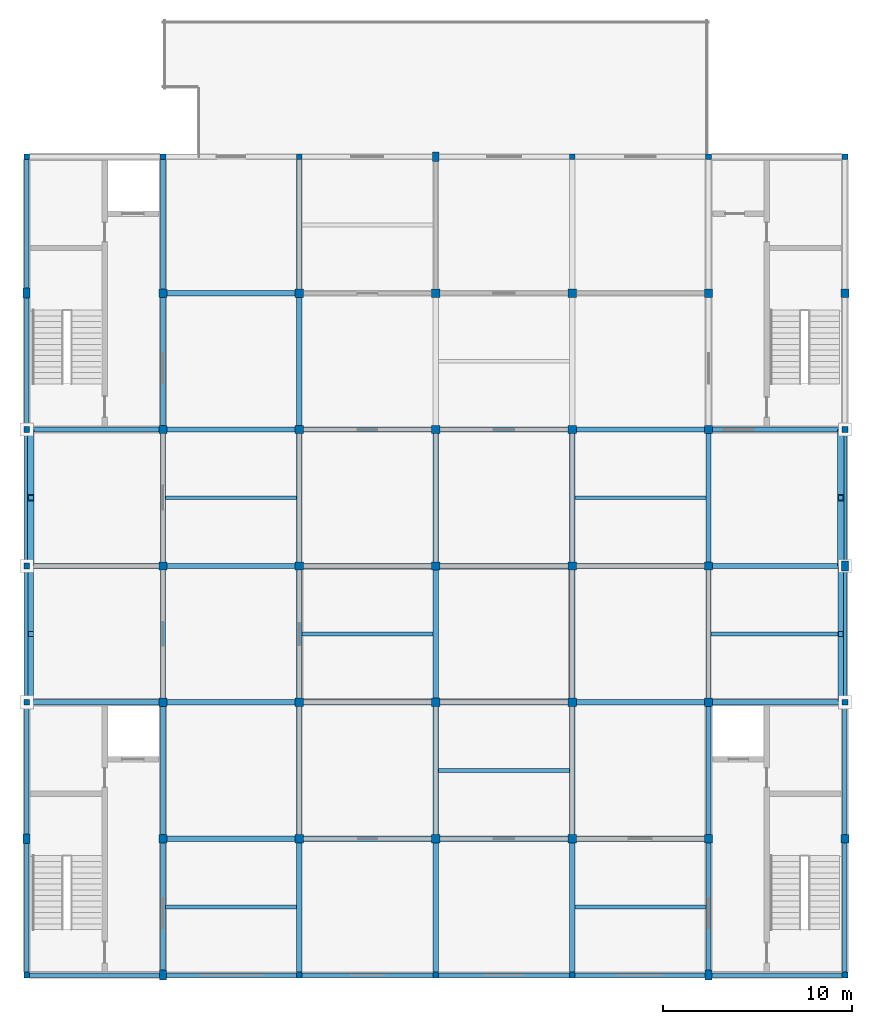
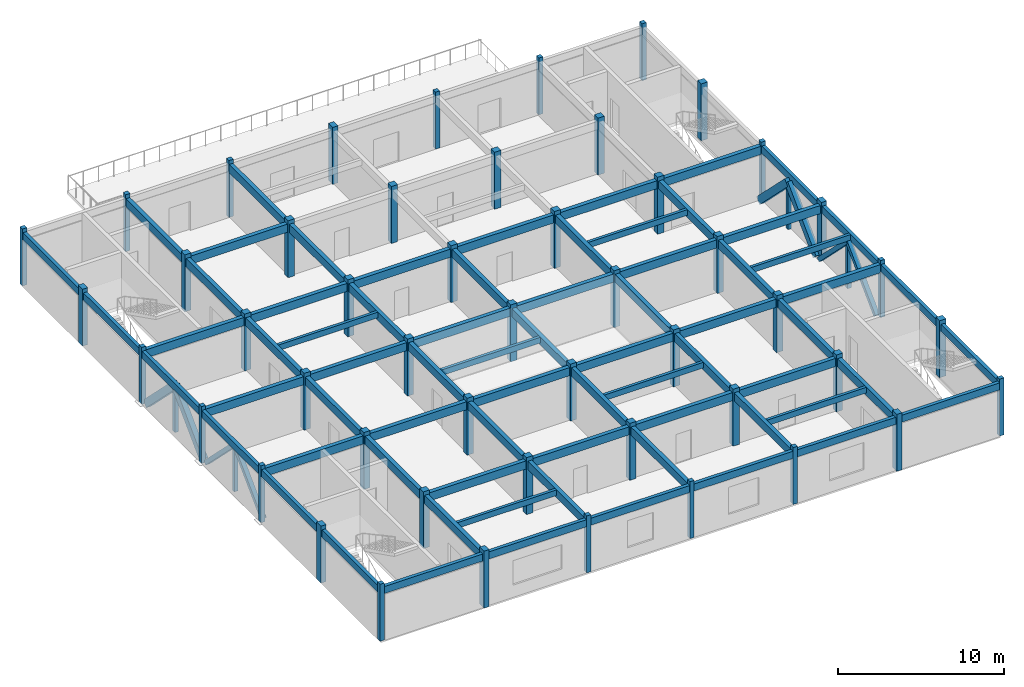
# One storey, part 1 of 6: 70 beams, 49 columns, 12 members.
"""IFC4 building model written with IfcOpenShell, lengths in metres."""

from ifc_helpers import new_model, si_unit, direction, frame, origin, origin_2d, place, context, subcontext, project, spatial, rectangle, extrude, material, material_profile, profile_set, type_object, element, save


model = new_model("IFC4")

# Units and contexts
model_context = context("Model", 3, precision=1e-05, world=origin(), true_north=direction((0.0, 1.0)))
body_context = subcontext(model_context, "Body", "Model", "MODEL_VIEW")
ifc_project = project(units=[si_unit("LENGTHUNIT", "METRE"), si_unit("AREAUNIT", "SQUARE_METRE"), si_unit("VOLUMEUNIT", "CUBIC_METRE"), si_unit("PLANEANGLEUNIT", "RADIAN"), si_unit("MASSUNIT", "GRAM", prefix="KILO")], contexts=[model_context])

# Site, building, storey
site_placement = place(None, origin())
site = spatial("IfcSite", under=ifc_project, at=site_placement, CompositionType="ELEMENT")
building_placement = place(site_placement, origin())
building = spatial("IfcBuilding", under=site, at=building_placement, Name="Cendaluz Park School", CompositionType="ELEMENT")
storey_placement = place(building_placement, frame((0.0, 0.0, 63.0)))
storey = spatial("IfcBuildingStorey", under=building, at=storey_placement, Name="L15", CompositionType="ELEMENT", Elevation=63.0)

# Columns
ifc_material_1 = material(Name="Glulam GL32h", Category="wood")
ifc_material_profile_1 = material_profile(ifc_material_1, rectangle(XDim=0.43994140625, YDim=0.43994140625, at=origin_2d()), Name="GL32h 440x440", Category="wood")
ifc_profile_set_1 = profile_set([ifc_material_profile_1], Name="Glulam GL32h")
column_type_1 = type_object("IfcColumnType", Name="C-GL03", PredefinedType="COLUMN", material=ifc_profile_set_1)
for number, where, z_axis, x_axis, name in (
    (1, (72.0, 21.60009765625, 0.0), (0.0, 0.0, 1.0), (1.0, 0.0, 0.0), "C-L15-CGL03-009"),
    (2, (72.0, 28.800048828125, 0.0), (0.0, 0.0, 1.0), (1.0, 0.0, 0.0), "C-L15-CGL03-010"),
    (3, (72.0, 36.0, 0.0), (0.0, 0.0, 1.0), (1.0, 0.0, 0.0), "C-L15-CGL03-011"),
    (4, (72.0, 43.199951171875, 0.0), (0.0, 0.0, 1.0), (1.0, 0.0, 0.0), "C-L15-CGL03-012"),
    (5, (72.0, 50.39990234375, 0.0), (0.0, 0.0, 1.0), (1.0, 0.0, 0.0), "C-L15-CGL03-013"),
    (6, (79.199951171875, 21.60009765625, 0.0), (0.0, 0.0, 1.0), (1.0, 0.0, 0.0), "C-L15-CGL03-016"),
    (7, (79.199951171875, 28.800048828125, 0.0), (0.0, 0.0, 1.0), (1.0, 0.0, 0.0), "C-L15-CGL03-017"),
    (8, (79.199951171875, 36.0, 0.0), (0.0, 0.0, 1.0), (1.0, 0.0, 0.0), "C-L15-CGL03-018"),
    (9, (79.199951171875, 43.199951171875, 0.0), (0.0, 0.0, 1.0), (1.0, 0.0, 0.0), "C-L15-CGL03-019"),
    (10, (79.199951171875, 50.39990234375, 0.0), (0.0, 0.0, 1.0), (1.0, 0.0, 0.0), "C-L15-CGL03-020"),
    (11, (86.39990234375, 21.60009765625, 0.0), (0.0, 0.0, 1.0), (1.0, 0.0, 0.0), "C-L15-CGL03-023"),
    (12, (86.39990234375, 28.800048828125, 0.0), (0.0, 0.0, 1.0), (1.0, 0.0, 0.0), "C-L15-CGL03-024"),
    (13, (86.39990234375, 36.0, 0.0), (0.0, 0.0, 1.0), (1.0, 0.0, 0.0), "C-L15-CGL03-025"),
    (14, (86.39990234375, 43.199951171875, 0.0), (0.0, 0.0, 1.0), (1.0, 0.0, 0.0), "C-L15-CGL03-026"),
    (15, (86.39990234375, 50.39990234375, 0.0), (0.0, 0.0, 1.0), (1.0, 0.0, 0.0), "C-L15-CGL03-027"),
    (16, (93.60009765625, 21.60009765625, 0.0), (0.0, 0.0, 1.0), (1.0, 0.0, 0.0), "C-L15-CGL03-030"),
    (17, (93.60009765625, 28.800048828125, 0.0), (0.0, 0.0, 1.0), (1.0, 0.0, 0.0), "C-L15-CGL03-031"),
    (18, (93.60009765625, 36.0, 0.0), (0.0, 0.0, 1.0), (1.0, 0.0, 0.0), "C-L15-CGL03-032"),
    (19, (93.60009765625, 43.199951171875, 0.0), (0.0, 0.0, 1.0), (1.0, 0.0, 0.0), "C-L15-CGL03-033"),
    (20, (93.60009765625, 50.39990234375, 0.0), (0.0, 0.0, 1.0), (1.0, 0.0, 0.0), "C-L15-CGL03-034"),
    (21, (100.800048828125, 21.60009765625, 0.0), (0.0, 0.0, 1.0), (1.0, 0.0, 0.0), "C-L15-CGL03-037"),
    (22, (100.800048828125, 28.800048828125, 0.0), (0.0, 0.0, 1.0), (1.0, 0.0, 0.0), "C-L15-CGL03-038"),
    (23, (100.800048828125, 36.0, 0.0), (0.0, 0.0, 1.0), (1.0, 0.0, 0.0), "C-L15-CGL03-039"),
    (24, (100.800048828125, 43.199951171875, 0.0), (0.0, 0.0, 1.0), (1.0, 0.0, 0.0), "C-L15-CGL03-040"),
    (25, (100.800048828125, 50.39990234375, 0.0), (0.0, 0.0, 1.0), (1.0, 0.0, 0.0), "C-L15-CGL03-041"),
    (26, (108.0, 21.60009765625, 0.0), (0.0, 0.0, 1.0), (1.0, 0.0, 0.0), "C-L15-CGL03-044"),
    (27, (108.0, 50.39990234375, 0.0), (0.0, 0.0, 1.0), (1.0, 0.0, 0.0), "C-L15-CGL03-048"),
):
    element("IfcColumn", number, at=place(storey_placement, frame(where, z_axis=z_axis, x_axis=x_axis)), inside=storey, type_object=column_type_1, Name=name, PredefinedType="COLUMN", context=body_context, shape_type="SweptSolid", body=[
        extrude(rectangle(XDim=0.43994140625, YDim=0.43994140625, at=origin_2d()), origin(), (0.0, 0.0, 1.0), 4.199951171875),
    ])
ifc_material_profile_2 = material_profile(ifc_material_1, rectangle(XDim=0.300048828125, YDim=0.300048828125, at=origin_2d()), Name="GL32h 300x300", Category="wood")
ifc_profile_set_2 = profile_set([ifc_material_profile_2], Name="Glulam GL32h")
column_type_2 = type_object("IfcColumnType", Name="C-GL04", PredefinedType="COLUMN", material=ifc_profile_set_2)
for number, where, z_axis, x_axis, name in (
    (28, (64.800048828125, 14.39990234375, 0.0), (0.0, 0.0, 1.0), (1.0, 0.0, 0.0), "C-L15-CGL04-001"),
    (29, (64.800048828125, 28.800048828125, 0.0), (0.0, 0.0, 1.0), (1.0, 0.0, 0.0), "C-L15-CGL04-003"),
    (30, (64.800048828125, 36.0, 0.0), (0.0, 0.0, 1.0), (1.0, 0.0, 0.0), "C-L15-CGL04-004"),
    (31, (64.800048828125, 43.199951171875, 0.0), (0.0, 0.0, 1.0), (1.0, 0.0, 0.0), "C-L15-CGL04-005"),
    (32, (64.800048828125, 57.60009765625, 0.0), (0.0, 0.0, 1.0), (1.0, 0.0, 0.0), "C-L15-CGL04-007"),
    (33, (72.0, 57.60009765625, 0.0), (0.0, 0.0, 1.0), (1.0, 0.0, 0.0), "C-L15-CGL04-014"),
    (34, (79.199951171875, 14.39990234375, 0.0), (0.0, 0.0, 1.0), (1.0, 0.0, 0.0), "C-L15-CGL04-015"),
    (35, (79.199951171875, 57.60009765625, 0.0), (0.0, 0.0, 1.0), (1.0, 0.0, 0.0), "C-L15-CGL04-021"),
    (36, (86.39990234375, 14.39990234375, 0.0), (0.0, 0.0, 1.0), (1.0, 0.0, 0.0), "C-L15-CGL04-022"),
    (37, (93.60009765625, 14.39990234375, 0.0), (0.0, 0.0, 1.0), (1.0, 0.0, 0.0), "C-L15-CGL04-029"),
    (38, (93.60009765625, 57.60009765625, 0.0), (0.0, 0.0, 1.0), (1.0, 0.0, 0.0), "C-L15-CGL04-035"),
    (39, (100.800048828125, 57.60009765625, 0.0), (0.0, 0.0, 1.0), (1.0, 0.0, 0.0), "C-L15-CGL04-042"),
    (40, (108.0, 14.39990234375, 0.0), (0.0, 0.0, 1.0), (1.0, 0.0, 0.0), "C-L15-CGL04-043"),
    (41, (108.0, 28.800048828125, 0.0), (0.0, 0.0, 1.0), (1.0, 0.0, 0.0), "C-L15-CGL04-045"),
    (42, (108.0, 43.199951171875, 0.0), (0.0, 0.0, 1.0), (1.0, 0.0, 0.0), "C-L15-CGL04-047"),
    (43, (108.0, 57.60009765625, 0.0), (0.0, 0.0, 1.0), (1.0, 0.0, 0.0), "C-L15-CGL04-049"),
):
    element("IfcColumn", number, at=place(storey_placement, frame(where, z_axis=z_axis, x_axis=x_axis)), inside=storey, type_object=column_type_2, Name=name, PredefinedType="COLUMN", context=body_context, shape_type="SweptSolid", body=[
        extrude(rectangle(XDim=0.300048828125, YDim=0.300048828125, at=origin_2d()), origin(), (0.0, 0.0, 1.0), 4.199951171875),
    ])
ifc_material_profile_3 = material_profile(ifc_material_1, rectangle(XDim=0.360107421875, YDim=0.52001953125, at=origin_2d()), Name="GL32h 360x520", Category="wood")
ifc_profile_set_3 = profile_set([ifc_material_profile_3], Name="Glulam GL32h")
column_type_3 = type_object("IfcColumnType", Name="C-PL02", PredefinedType="PILASTER", material=ifc_profile_set_3)
for number, where, z_axis, x_axis, name in (
    (44, (64.800048828125, 21.60009765625, 0.0), (0.0, 0.0, 1.0), (1.0, 0.0, 0.0), "C-L15-CPL02-002"),
    (45, (64.800048828125, 50.39990234375, 0.0), (0.0, 0.0, 1.0), (1.0, 0.0, 0.0), "C-L15-CPL02-006"),
    (46, (72.0, 14.39990234375, 0.0), (0.0, 0.0, 1.0), (1.0, 0.0, 0.0), "C-L15-CPL02-008"),
    (47, (86.39990234375, 57.60009765625, 0.0), (0.0, 0.0, 1.0), (1.0, 0.0, 0.0), "C-L15-CPL02-028"),
    (48, (100.800048828125, 14.39990234375, 0.0), (0.0, 0.0, 1.0), (1.0, 0.0, 0.0), "C-L15-CPL02-036"),
    (49, (108.0, 36.0, 0.0), (0.0, 0.0, 1.0), (1.0, 0.0, 0.0), "C-L15-CPL02-046"),
):
    element("IfcColumn", number, at=place(storey_placement, frame(where, z_axis=z_axis, x_axis=x_axis)), inside=storey, type_object=column_type_3, Name=name, PredefinedType="PILASTER", context=body_context, shape_type="SweptSolid", body=[
        extrude(rectangle(XDim=0.360107421875, YDim=0.52001953125, at=origin_2d()), origin(), (0.0, 0.0, 1.0), 4.199951171875),
    ])

# Beams
ifc_material_2 = material(Name="Glulam GL28h", Category="wood")
ifc_material_profile_4 = material_profile(ifc_material_2, rectangle(XDim=0.280029296875, YDim=0.60009765625, at=origin_2d()), Name="GL28h 280x600", Category="wood")
ifc_profile_set_4 = profile_set([ifc_material_profile_4], Name="Glulam GL28h")
beam_type_1 = type_object("IfcBeamType", Name="BM-GL02", PredefinedType="BEAM", material=ifc_profile_set_4)
for number, where, z_axis, x_axis, name in (
    (50, (64.949951171875, 28.800048828125, 3.610107421875), (1.0, 0.0, 0.0), (0.0, 1.0, 0.0), "BM-L15-BMGL02-0002"),
    (51, (64.949951171875, 36.0, 3.610107421875), (1.0, 0.0, 0.0), (0.0, 1.0, 0.0), "BM-L15-BMGL02-0003"),
    (52, (64.949951171875, 43.199951171875, 3.610107421875), (1.0, 0.0, 0.0), (0.0, 1.0, 0.0), "BM-L15-BMGL02-0004"),
):
    element("IfcBeam", number, at=place(storey_placement, frame(where, z_axis=z_axis, x_axis=x_axis)), inside=storey, type_object=beam_type_1, Name=name, PredefinedType="BEAM", context=body_context, shape_type="SweptSolid", body=[
        extrude(rectangle(XDim=0.280029296875, YDim=0.60009765625, at=origin_2d()), origin(), (0.0, 0.0, 1.0), 6.830078125),
    ])
for number, where, z_axis, x_axis, name in (
    (53, (72.219970703125, 21.60009765625, 3.610107421875), (1.0, 0.0, 0.0), (0.0, 1.0, 0.0), "BM-L15-BMGL02-0007"),
    (54, (72.219970703125, 28.800048828125, 3.610107421875), (1.0, 0.0, 0.0), (0.0, 1.0, 0.0), "BM-L15-BMGL02-0008"),
    (55, (72.219970703125, 36.0, 3.610107421875), (1.0, 0.0, 0.0), (0.0, 1.0, 0.0), "BM-L15-BMGL02-0009"),
    (56, (72.219970703125, 43.199951171875, 3.610107421875), (1.0, 0.0, 0.0), (0.0, 1.0, 0.0), "BM-L15-BMGL02-0010"),
    (57, (72.219970703125, 50.39990234375, 3.610107421875), (1.0, 0.0, 0.0), (0.0, 1.0, 0.0), "BM-L15-BMGL02-0011"),
    (58, (79.419921875, 21.60009765625, 3.610107421875), (1.0, 0.0, 0.0), (0.0, 1.0, 0.0), "BM-L15-BMGL02-0014"),
    (59, (79.419921875, 28.800048828125, 3.610107421875), (1.0, 0.0, 0.0), (0.0, 1.0, 0.0), "BM-L15-BMGL02-0015"),
    (60, (79.419921875, 36.0, 3.610107421875), (1.0, 0.0, 0.0), (0.0, 1.0, 0.0), "BM-L15-BMGL02-0016"),
    (61, (79.419921875, 43.199951171875, 3.610107421875), (1.0, 0.0, 0.0), (0.0, 1.0, 0.0), "BM-L15-BMGL02-0017"),
):
    element("IfcBeam", number, at=place(storey_placement, frame(where, z_axis=z_axis, x_axis=x_axis)), inside=storey, type_object=beam_type_1, Name=name, PredefinedType="BEAM", context=body_context, shape_type="SweptSolid", body=[
        extrude(rectangle(XDim=0.280029296875, YDim=0.60009765625, at=origin_2d()), origin(), (0.0, 0.0, 1.0), 6.760009765625),
    ])
for number, where, z_axis, x_axis, name in (
    (62, (86.6201171875, 21.60009765625, 3.610107421875), (1.0, 0.0, 0.0), (0.0, 1.0, 0.0), "BM-L15-BMGL02-0021"),
    (63, (86.6201171875, 28.800048828125, 3.610107421875), (1.0, 0.0, 0.0), (0.0, 1.0, 0.0), "BM-L15-BMGL02-0022"),
    (64, (86.6201171875, 36.0, 3.610107421875), (1.0, 0.0, 0.0), (0.0, 1.0, 0.0), "BM-L15-BMGL02-0023"),
    (65, (86.6201171875, 43.199951171875, 3.610107421875), (1.0, 0.0, 0.0), (0.0, 1.0, 0.0), "BM-L15-BMGL02-0024"),
):
    element("IfcBeam", number, at=place(storey_placement, frame(where, z_axis=z_axis, x_axis=x_axis)), inside=storey, type_object=beam_type_1, Name=name, PredefinedType="BEAM", context=body_context, shape_type="SweptSolid", body=[
        extrude(rectangle(XDim=0.280029296875, YDim=0.60009765625, at=origin_2d()), origin(), (0.0, 0.0, 1.0), 6.759765625),
    ])
for number, where, z_axis, x_axis, name in (
    (66, (93.820068359375, 21.60009765625, 3.610107421875), (1.0, 0.0, 0.0), (0.0, 1.0, 0.0), "BM-L15-BMGL02-0028"),
    (67, (93.820068359375, 28.800048828125, 3.610107421875), (1.0, 0.0, 0.0), (0.0, 1.0, 0.0), "BM-L15-BMGL02-0029"),
    (68, (93.820068359375, 36.0, 3.610107421875), (1.0, 0.0, 0.0), (0.0, 1.0, 0.0), "BM-L15-BMGL02-0030"),
    (69, (93.820068359375, 43.199951171875, 3.610107421875), (1.0, 0.0, 0.0), (0.0, 1.0, 0.0), "BM-L15-BMGL02-0031"),
):
    element("IfcBeam", number, at=place(storey_placement, frame(where, z_axis=z_axis, x_axis=x_axis)), inside=storey, type_object=beam_type_1, Name=name, PredefinedType="BEAM", context=body_context, shape_type="SweptSolid", body=[
        extrude(rectangle(XDim=0.280029296875, YDim=0.60009765625, at=origin_2d()), origin(), (0.0, 0.0, 1.0), 6.760009765625),
    ])
beam_1_placement = place(storey_placement, frame((101.02001953125, 28.800048828125, 3.610107421875), z_axis=(1.0, 0.0, 0.0), x_axis=(0.0, 1.0, 0.0)))
element("IfcBeam", 70, at=beam_1_placement, inside=storey, type_object=beam_type_1, Name="BM-L15-BMGL02-0035", PredefinedType="BEAM", context=body_context, shape_type="SweptSolid", body=[
    extrude(rectangle(XDim=0.280029296875, YDim=0.60009765625, at=origin_2d()), origin(), (0.0, 0.0, 1.0), 6.830078125),
])
beam_2_placement = place(storey_placement, frame((101.02001953125, 36.0, 3.610107421875), z_axis=(1.0, 0.0, 0.0), x_axis=(0.0, 1.0, 0.0)))
element("IfcBeam", 71, at=beam_2_placement, inside=storey, type_object=beam_type_1, Name="BM-L15-BMGL02-0036", PredefinedType="BEAM", context=body_context, shape_type="SweptSolid", body=[
    extrude(rectangle(XDim=0.280029296875, YDim=0.60009765625, at=origin_2d()), origin(), (0.0, 0.0, 1.0), 6.800048828125),
])
beam_3_placement = place(storey_placement, frame((101.02001953125, 43.199951171875, 3.610107421875), z_axis=(1.0, 0.0, 0.0), x_axis=(0.0, 1.0, 0.0)))
element("IfcBeam", 72, at=beam_3_placement, inside=storey, type_object=beam_type_1, Name="BM-L15-BMGL02-0037", PredefinedType="BEAM", context=body_context, shape_type="SweptSolid", body=[
    extrude(rectangle(XDim=0.280029296875, YDim=0.60009765625, at=origin_2d()), origin(), (0.0, 0.0, 1.0), 6.830078125),
])
beam_4_placement = place(storey_placement, frame((72.0, 14.659912109375, 3.610107421875), z_axis=(0.0, 1.0, 0.0), x_axis=(-1.0, 0.0, 0.0)))
element("IfcBeam", 73, at=beam_4_placement, inside=storey, type_object=beam_type_1, Name="BM-L15-BMGL02-0045", PredefinedType="BEAM", context=body_context, shape_type="SweptSolid", body=[
    extrude(rectangle(XDim=0.280029296875, YDim=0.60009765625, at=origin_2d()), origin(), (0.0, 0.0, 1.0), 6.719970703125),
])
for number, where, z_axis, x_axis, name in (
    (74, (72.0, 21.820068359375, 3.610107421875), (0.0, 1.0, 0.0), (-1.0, 0.0, 0.0), "BM-L15-BMGL02-0046"),
    (75, (72.0, 29.02001953125, 3.610107421875), (0.0, 1.0, 0.0), (-1.0, 0.0, 0.0), "BM-L15-BMGL02-0047"),
    (76, (72.0, 36.219970703125, 3.610107421875), (0.0, 1.0, 0.0), (-1.0, 0.0, 0.0), "BM-L15-BMGL02-0048"),
    (77, (72.0, 43.419921875, 3.610107421875), (0.0, 1.0, 0.0), (-1.0, 0.0, 0.0), "BM-L15-BMGL02-0049"),
):
    element("IfcBeam", number, at=place(storey_placement, frame(where, z_axis=z_axis, x_axis=x_axis)), inside=storey, type_object=beam_type_1, Name=name, PredefinedType="BEAM", context=body_context, shape_type="SweptSolid", body=[
        extrude(rectangle(XDim=0.280029296875, YDim=0.60009765625, at=origin_2d()), origin(), (0.0, 0.0, 1.0), 6.760009765625),
    ])
for number, where, z_axis, x_axis, name in (
    (78, (72.0, 50.6201171875, 3.610107421875), (0.0, 1.0, 0.0), (-1.0, 0.0, 0.0), "BM-L15-BMGL02-0050"),
    (79, (79.199951171875, 14.550048828125, 3.610107421875), (0.0, 1.0, 0.0), (-1.0, 0.0, 0.0), "BM-L15-BMGL02-0051"),
):
    element("IfcBeam", number, at=place(storey_placement, frame(where, z_axis=z_axis, x_axis=x_axis)), inside=storey, type_object=beam_type_1, Name=name, PredefinedType="BEAM", context=body_context, shape_type="SweptSolid", body=[
        extrude(rectangle(XDim=0.280029296875, YDim=0.60009765625, at=origin_2d()), origin(), (0.0, 0.0, 1.0), 6.829833984375),
    ])
for number, where, z_axis, x_axis, name in (
    (80, (79.199951171875, 21.820068359375, 3.610107421875), (0.0, 1.0, 0.0), (-1.0, 0.0, 0.0), "BM-L15-BMGL02-0052"),
    (81, (79.199951171875, 29.02001953125, 3.610107421875), (0.0, 1.0, 0.0), (-1.0, 0.0, 0.0), "BM-L15-BMGL02-0053"),
    (82, (79.199951171875, 36.219970703125, 3.610107421875), (0.0, 1.0, 0.0), (-1.0, 0.0, 0.0), "BM-L15-BMGL02-0054"),
    (83, (79.199951171875, 43.419921875, 3.610107421875), (0.0, 1.0, 0.0), (-1.0, 0.0, 0.0), "BM-L15-BMGL02-0055"),
):
    element("IfcBeam", number, at=place(storey_placement, frame(where, z_axis=z_axis, x_axis=x_axis)), inside=storey, type_object=beam_type_1, Name=name, PredefinedType="BEAM", context=body_context, shape_type="SweptSolid", body=[
        extrude(rectangle(XDim=0.280029296875, YDim=0.60009765625, at=origin_2d()), origin(), (0.0, 0.0, 1.0), 6.760009765625),
    ])
for number, where, z_axis, x_axis, name in (
    (84, (79.199951171875, 50.6201171875, 3.610107421875), (0.0, 1.0, 0.0), (-1.0, 0.0, 0.0), "BM-L15-BMGL02-0056"),
    (85, (86.39990234375, 14.550048828125, 3.610107421875), (0.0, 1.0, 0.0), (-1.0, 0.0, 0.0), "BM-L15-BMGL02-0057"),
):
    element("IfcBeam", number, at=place(storey_placement, frame(where, z_axis=z_axis, x_axis=x_axis)), inside=storey, type_object=beam_type_1, Name=name, PredefinedType="BEAM", context=body_context, shape_type="SweptSolid", body=[
        extrude(rectangle(XDim=0.280029296875, YDim=0.60009765625, at=origin_2d()), origin(), (0.0, 0.0, 1.0), 6.829833984375),
    ])
for number, where, z_axis, x_axis, name in (
    (86, (86.39990234375, 21.820068359375, 3.610107421875), (0.0, 1.0, 0.0), (-1.0, 0.0, 0.0), "BM-L15-BMGL02-0058"),
    (87, (86.39990234375, 29.02001953125, 3.610107421875), (0.0, 1.0, 0.0), (-1.0, 0.0, 0.0), "BM-L15-BMGL02-0059"),
    (88, (86.39990234375, 36.219970703125, 3.610107421875), (0.0, 1.0, 0.0), (-1.0, 0.0, 0.0), "BM-L15-BMGL02-0060"),
):
    element("IfcBeam", number, at=place(storey_placement, frame(where, z_axis=z_axis, x_axis=x_axis)), inside=storey, type_object=beam_type_1, Name=name, PredefinedType="BEAM", context=body_context, shape_type="SweptSolid", body=[
        extrude(rectangle(XDim=0.280029296875, YDim=0.60009765625, at=origin_2d()), origin(), (0.0, 0.0, 1.0), 6.760009765625),
    ])
beam_5_placement = place(storey_placement, frame((93.60009765625, 14.550048828125, 3.610107421875), z_axis=(0.0, 1.0, 0.0), x_axis=(-1.0, 0.0, 0.0)))
element("IfcBeam", 89, at=beam_5_placement, inside=storey, type_object=beam_type_1, Name="BM-L15-BMGL02-0063", PredefinedType="BEAM", context=body_context, shape_type="SweptSolid", body=[
    extrude(rectangle(XDim=0.280029296875, YDim=0.60009765625, at=origin_2d()), origin(), (0.0, 0.0, 1.0), 6.829833984375),
])
for number, where, z_axis, x_axis, name in (
    (90, (93.60009765625, 21.820068359375, 3.610107421875), (0.0, 1.0, 0.0), (-1.0, 0.0, 0.0), "BM-L15-BMGL02-0064"),
    (91, (93.60009765625, 29.02001953125, 3.610107421875), (0.0, 1.0, 0.0), (-1.0, 0.0, 0.0), "BM-L15-BMGL02-0065"),
    (92, (93.60009765625, 36.219970703125, 3.610107421875), (0.0, 1.0, 0.0), (-1.0, 0.0, 0.0), "BM-L15-BMGL02-0066"),
):
    element("IfcBeam", number, at=place(storey_placement, frame(where, z_axis=z_axis, x_axis=x_axis)), inside=storey, type_object=beam_type_1, Name=name, PredefinedType="BEAM", context=body_context, shape_type="SweptSolid", body=[
        extrude(rectangle(XDim=0.280029296875, YDim=0.60009765625, at=origin_2d()), origin(), (0.0, 0.0, 1.0), 6.760009765625),
    ])
beam_6_placement = place(storey_placement, frame((100.800048828125, 14.659912109375, 3.610107421875), z_axis=(0.0, 1.0, 0.0), x_axis=(-1.0, 0.0, 0.0)))
element("IfcBeam", 93, at=beam_6_placement, inside=storey, type_object=beam_type_1, Name="BM-L15-BMGL02-0069", PredefinedType="BEAM", context=body_context, shape_type="SweptSolid", body=[
    extrude(rectangle(XDim=0.280029296875, YDim=0.60009765625, at=origin_2d()), origin(), (0.0, 0.0, 1.0), 6.719970703125),
])
for number, where, z_axis, x_axis, name in (
    (94, (100.800048828125, 21.820068359375, 3.610107421875), (0.0, 1.0, 0.0), (-1.0, 0.0, 0.0), "BM-L15-BMGL02-0070"),
    (95, (100.800048828125, 29.02001953125, 3.610107421875), (0.0, 1.0, 0.0), (-1.0, 0.0, 0.0), "BM-L15-BMGL02-0071"),
    (96, (100.800048828125, 36.219970703125, 3.610107421875), (0.0, 1.0, 0.0), (-1.0, 0.0, 0.0), "BM-L15-BMGL02-0072"),
):
    element("IfcBeam", number, at=place(storey_placement, frame(where, z_axis=z_axis, x_axis=x_axis)), inside=storey, type_object=beam_type_1, Name=name, PredefinedType="BEAM", context=body_context, shape_type="SweptSolid", body=[
        extrude(rectangle(XDim=0.280029296875, YDim=0.60009765625, at=origin_2d()), origin(), (0.0, 0.0, 1.0), 6.760009765625),
    ])
ifc_material_profile_5 = material_profile(ifc_material_2, rectangle(XDim=0.239990234375, YDim=0.52001953125, at=origin_2d()), Name="GL28h 240x520", Category="wood")
ifc_profile_set_5 = profile_set([ifc_material_profile_5], Name="Glulam GL28h")
beam_type_2 = type_object("IfcBeamType", Name="BM-GL03", PredefinedType="SPANDREL", material=ifc_profile_set_5)
for number, where, z_axis, x_axis, name in (
    (97, (64.949951171875, 14.39990234375, 3.64990234375), (1.0, 0.0, 0.0), (0.0, 1.0, 0.0), "BM-L15-BMGL03-0001"),
    (98, (72.179931640625, 14.39990234375, 3.64990234375), (1.0, 0.0, 0.0), (0.0, 1.0, 0.0), "BM-L15-BMGL03-0006"),
):
    element("IfcBeam", number, at=place(storey_placement, frame(where, z_axis=z_axis, x_axis=x_axis)), inside=storey, type_object=beam_type_2, Name=name, PredefinedType="SPANDREL", context=body_context, shape_type="SweptSolid", body=[
        extrude(rectangle(XDim=0.239990234375, YDim=0.52001953125, at=origin_2d()), origin(), (0.0, 0.0, 1.0), 6.8701171875),
    ])
for number, where, z_axis, x_axis, name in (
    (99, (79.35009765625, 14.39990234375, 3.64990234375), (1.0, 0.0, 0.0), (0.0, 1.0, 0.0), "BM-L15-BMGL03-0013"),
    (100, (86.550048828125, 14.39990234375, 3.64990234375), (1.0, 0.0, 0.0), (0.0, 1.0, 0.0), "BM-L15-BMGL03-0020"),
):
    element("IfcBeam", number, at=place(storey_placement, frame(where, z_axis=z_axis, x_axis=x_axis)), inside=storey, type_object=beam_type_2, Name=name, PredefinedType="SPANDREL", context=body_context, shape_type="SweptSolid", body=[
        extrude(rectangle(XDim=0.239990234375, YDim=0.52001953125, at=origin_2d()), origin(), (0.0, 0.0, 1.0), 6.89990234375),
    ])
for number, where, z_axis, x_axis, name in (
    (101, (93.75, 14.39990234375, 3.64990234375), (1.0, 0.0, 0.0), (0.0, 1.0, 0.0), "BM-L15-BMGL03-0027"),
    (102, (100.97998046875, 14.39990234375, 3.64990234375), (1.0, 0.0, 0.0), (0.0, 1.0, 0.0), "BM-L15-BMGL03-0034"),
):
    element("IfcBeam", number, at=place(storey_placement, frame(where, z_axis=z_axis, x_axis=x_axis)), inside=storey, type_object=beam_type_2, Name=name, PredefinedType="SPANDREL", context=body_context, shape_type="SweptSolid", body=[
        extrude(rectangle(XDim=0.239990234375, YDim=0.52001953125, at=origin_2d()), origin(), (0.0, 0.0, 1.0), 6.8701171875),
    ])
beam_7_placement = place(storey_placement, frame((64.800048828125, 14.550048828125, 3.64990234375), z_axis=(0.0, 1.0, 0.0), x_axis=(-1.0, 0.0, 0.0)))
element("IfcBeam", 103, at=beam_7_placement, inside=storey, type_object=beam_type_2, Name="BM-L15-BMGL03-0039", PredefinedType="SPANDREL", context=body_context, shape_type="SweptSolid", body=[
    extrude(rectangle(XDim=0.239990234375, YDim=0.52001953125, at=origin_2d()), origin(), (0.0, 0.0, 1.0), 6.7900390625),
])
beam_8_placement = place(storey_placement, frame((64.800048828125, 21.860107421875, 3.64990234375), z_axis=(0.0, 1.0, 0.0), x_axis=(-1.0, 0.0, 0.0)))
element("IfcBeam", 104, at=beam_8_placement, inside=storey, type_object=beam_type_2, Name="BM-L15-BMGL03-0040", PredefinedType="SPANDREL", context=body_context, shape_type="SweptSolid", body=[
    extrude(rectangle(XDim=0.239990234375, YDim=0.52001953125, at=origin_2d()), origin(), (0.0, 0.0, 1.0), 6.789794921875),
])
for number, where, z_axis, x_axis, name in (
    (105, (64.800048828125, 28.949951171875, 3.64990234375), (0.0, 1.0, 0.0), (-1.0, 0.0, 0.0), "BM-L15-BMGL03-0041"),
    (106, (64.800048828125, 36.14990234375, 3.64990234375), (0.0, 1.0, 0.0), (-1.0, 0.0, 0.0), "BM-L15-BMGL03-0042"),
):
    element("IfcBeam", number, at=place(storey_placement, frame(where, z_axis=z_axis, x_axis=x_axis)), inside=storey, type_object=beam_type_2, Name=name, PredefinedType="SPANDREL", context=body_context, shape_type="SweptSolid", body=[
        extrude(rectangle(XDim=0.239990234375, YDim=0.52001953125, at=origin_2d()), origin(), (0.0, 0.0, 1.0), 6.900146484375),
    ])
beam_9_placement = place(storey_placement, frame((64.800048828125, 43.35009765625, 3.64990234375), z_axis=(0.0, 1.0, 0.0), x_axis=(-1.0, 0.0, 0.0)))
element("IfcBeam", 107, at=beam_9_placement, inside=storey, type_object=beam_type_2, Name="BM-L15-BMGL03-0043", PredefinedType="SPANDREL", context=body_context, shape_type="SweptSolid", body=[
    extrude(rectangle(XDim=0.239990234375, YDim=0.52001953125, at=origin_2d()), origin(), (0.0, 0.0, 1.0), 6.789794921875),
])
beam_10_placement = place(storey_placement, frame((64.800048828125, 50.659912109375, 3.64990234375), z_axis=(0.0, 1.0, 0.0), x_axis=(-1.0, 0.0, 0.0)))
element("IfcBeam", 108, at=beam_10_placement, inside=storey, type_object=beam_type_2, Name="BM-L15-BMGL03-0044", PredefinedType="SPANDREL", context=body_context, shape_type="SweptSolid", body=[
    extrude(rectangle(XDim=0.239990234375, YDim=0.52001953125, at=origin_2d()), origin(), (0.0, 0.0, 1.0), 6.7900390625),
])
for number, where, z_axis, x_axis, name in (
    (109, (108.0, 14.550048828125, 3.64990234375), (0.0, 1.0, 0.0), (-1.0, 0.0, 0.0), "BM-L15-BMGL03-0075"),
    (110, (108.0, 21.820068359375, 3.64990234375), (0.0, 1.0, 0.0), (-1.0, 0.0, 0.0), "BM-L15-BMGL03-0076"),
):
    element("IfcBeam", number, at=place(storey_placement, frame(where, z_axis=z_axis, x_axis=x_axis)), inside=storey, type_object=beam_type_2, Name=name, PredefinedType="SPANDREL", context=body_context, shape_type="SweptSolid", body=[
        extrude(rectangle(XDim=0.239990234375, YDim=0.52001953125, at=origin_2d()), origin(), (0.0, 0.0, 1.0), 6.829833984375),
    ])
for number, where, z_axis, x_axis, name in (
    (111, (108.0, 28.949951171875, 3.64990234375), (0.0, 1.0, 0.0), (-1.0, 0.0, 0.0), "BM-L15-BMGL03-0077"),
    (112, (108.0, 36.260009765625, 3.64990234375), (0.0, 1.0, 0.0), (-1.0, 0.0, 0.0), "BM-L15-BMGL03-0078"),
):
    element("IfcBeam", number, at=place(storey_placement, frame(where, z_axis=z_axis, x_axis=x_axis)), inside=storey, type_object=beam_type_2, Name=name, PredefinedType="SPANDREL", context=body_context, shape_type="SweptSolid", body=[
        extrude(rectangle(XDim=0.239990234375, YDim=0.52001953125, at=origin_2d()), origin(), (0.0, 0.0, 1.0), 6.7900390625),
    ])
ifc_material_profile_6 = material_profile(ifc_material_2, rectangle(XDim=0.199951171875, YDim=0.419921875, at=origin_2d()), Name="GL28h 200x420", Category="wood")
ifc_profile_set_6 = profile_set([ifc_material_profile_6], Name="Glulam GL28h")
beam_type_3 = type_object("IfcBeamType", Name="JT-GL02", PredefinedType="JOIST", material=ifc_profile_set_6)
for number, where, z_axis, x_axis, name in (
    (113, (72.139892578125, 18.0, 3.699951171875), (1.0, 0.0, 0.0), (0.0, 1.0, 0.0), "BM-L15-JTGL02-0081"),
    (114, (72.139892578125, 39.60009765625, 3.699951171875), (1.0, 0.0, 0.0), (0.0, 1.0, 0.0), "BM-L15-JTGL02-0082"),
):
    element("IfcBeam", number, at=place(storey_placement, frame(where, z_axis=z_axis, x_axis=x_axis)), inside=storey, type_object=beam_type_3, Name=name, PredefinedType="JOIST", context=body_context, shape_type="SweptSolid", body=[
        extrude(rectangle(XDim=0.199951171875, YDim=0.419921875, at=origin_2d()), origin(), (0.0, 0.0, 1.0), 6.920166015625),
    ])
for number, where, z_axis, x_axis, name in (
    (115, (79.340087890625, 32.39990234375, 3.699951171875), (1.0, 0.0, 0.0), (0.0, 1.0, 0.0), "BM-L15-JTGL02-0083"),
    (116, (86.5400390625, 25.199951171875, 3.699951171875), (1.0, 0.0, 0.0), (0.0, 1.0, 0.0), "BM-L15-JTGL02-0085"),
    (117, (93.739990234375, 18.0, 3.699951171875), (1.0, 0.0, 0.0), (0.0, 1.0, 0.0), "BM-L15-JTGL02-0087"),
    (118, (93.739990234375, 39.60009765625, 3.699951171875), (1.0, 0.0, 0.0), (0.0, 1.0, 0.0), "BM-L15-JTGL02-0088"),
):
    element("IfcBeam", number, at=place(storey_placement, frame(where, z_axis=z_axis, x_axis=x_axis)), inside=storey, type_object=beam_type_3, Name=name, PredefinedType="JOIST", context=body_context, shape_type="SweptSolid", body=[
        extrude(rectangle(XDim=0.199951171875, YDim=0.419921875, at=origin_2d()), origin(), (0.0, 0.0, 1.0), 6.919921875),
    ])
beam_11_placement = place(storey_placement, frame((100.93994140625, 32.39990234375, 3.699951171875), z_axis=(1.0, 0.0, 0.0), x_axis=(0.0, 1.0, 0.0)))
element("IfcBeam", 119, at=beam_11_placement, inside=storey, type_object=beam_type_3, Name="BM-L15-JTGL02-0089", PredefinedType="JOIST", context=body_context, shape_type="SweptSolid", body=[
    extrude(rectangle(XDim=0.199951171875, YDim=0.419921875, at=origin_2d()), origin(), (0.0, 0.0, 1.0), 6.93994140625),
])

# Members
ifc_material_profile_7 = material_profile(ifc_material_1, rectangle(XDim=0.300048828125, YDim=0.300048828125, at=origin_2d()), Name="GL32h 300x300", Category="wood")
ifc_profile_set_7 = profile_set([ifc_material_profile_7], Name="Glulam GL32h")
member_type_1 = type_object("IfcMemberType", Name="MBR-03", PredefinedType="BRACE", material=ifc_profile_set_7)
member_1_placement = place(storey_placement, frame((65.02001953125, 28.97998046875, 0.0), z_axis=(0.0, 0.708142352308, 0.706069691226), x_axis=(-1.0, 0.0, 0.0)))
element("IfcMember", 120, at=member_1_placement, inside=storey, type_object=member_type_1, Name="MB-L15-MBBR03-0001", PredefinedType="BRACE", context=body_context, shape_type="SweptSolid", body=[
    extrude(rectangle(XDim=0.300048828125, YDim=0.300048828125, at=origin_2d()), origin(), (0.0, 0.0, 1.0), 4.829345703125),
])
member_2_placement = place(storey_placement, frame((65.02001953125, 35.820068359375, 0.0), z_axis=(0.0, -0.70816755322, 0.706044415435), x_axis=(1.0, 0.0, 0.0)))
element("IfcMember", 121, at=member_2_placement, inside=storey, type_object=member_type_1, Name="MB-L15-MBBR03-0002", PredefinedType="BRACE", context=body_context, shape_type="SweptSolid", body=[
    extrude(rectangle(XDim=0.300048828125, YDim=0.300048828125, at=origin_2d()), origin(), (0.0, 0.0, 1.0), 4.82958984375),
])
member_3_placement = place(storey_placement, frame((107.780029296875, 28.97998046875, 0.0), z_axis=(0.0, 0.708142352308, 0.706069691226), x_axis=(-1.0, 0.0, 0.0)))
element("IfcMember", 122, at=member_3_placement, inside=storey, type_object=member_type_1, Name="MB-L15-MBBR03-0004", PredefinedType="BRACE", context=body_context, shape_type="SweptSolid", body=[
    extrude(rectangle(XDim=0.300048828125, YDim=0.300048828125, at=origin_2d()), origin(), (0.0, 0.0, 1.0), 4.829345703125),
])
member_4_placement = place(storey_placement, frame((107.780029296875, 35.820068359375, 0.0), z_axis=(0.0, -0.70816755322, 0.706044415435), x_axis=(1.0, 0.0, 0.0)))
element("IfcMember", 123, at=member_4_placement, inside=storey, type_object=member_type_1, Name="MB-L15-MBBR03-0005", PredefinedType="BRACE", context=body_context, shape_type="SweptSolid", body=[
    extrude(rectangle(XDim=0.300048828125, YDim=0.300048828125, at=origin_2d()), origin(), (0.0, 0.0, 1.0), 4.82958984375),
])
ifc_material_profile_8 = material_profile(ifc_material_1, rectangle(XDim=0.360107421875, YDim=0.52001953125, at=origin_2d()), Name="GL32h 360x520", Category="wood")
ifc_profile_set_8 = profile_set([ifc_material_profile_8], Name="Glulam GL32h")
member_type_2 = type_object("IfcMemberType", Name="MBR-04", PredefinedType="BRACE", material=ifc_profile_set_8)
member_5_placement = place(storey_placement, frame((65.02001953125, 36.179931640625, 0.0), z_axis=(0.0, 0.70816755322, 0.706044415435), x_axis=(-1.0, 0.0, 0.0)))
element("IfcMember", 124, at=member_5_placement, inside=storey, type_object=member_type_2, Name="MB-L15-MBBR04-0007", PredefinedType="BRACE", context=body_context, shape_type="SweptSolid", body=[
    extrude(rectangle(XDim=0.360107421875, YDim=0.52001953125, at=origin_2d()), origin(), (0.0, 0.0, 1.0), 4.82958984375),
])
member_6_placement = place(storey_placement, frame((65.02001953125, 43.02001953125, 0.0), z_axis=(0.0, -0.708142352308, 0.706069691226), x_axis=(1.0, 0.0, 0.0)))
element("IfcMember", 125, at=member_6_placement, inside=storey, type_object=member_type_2, Name="MB-L15-MBBR04-0008", PredefinedType="BRACE", context=body_context, shape_type="SweptSolid", body=[
    extrude(rectangle(XDim=0.360107421875, YDim=0.52001953125, at=origin_2d()), origin(), (0.0, 0.0, 1.0), 4.829345703125),
])
member_7_placement = place(storey_placement, frame((107.780029296875, 36.179931640625, 0.0), z_axis=(0.0, 0.70816755322, 0.706044415435), x_axis=(-1.0, 0.0, 0.0)))
element("IfcMember", 126, at=member_7_placement, inside=storey, type_object=member_type_2, Name="MB-L15-MBBR04-0010", PredefinedType="BRACE", context=body_context, shape_type="SweptSolid", body=[
    extrude(rectangle(XDim=0.360107421875, YDim=0.52001953125, at=origin_2d()), origin(), (0.0, 0.0, 1.0), 4.82958984375),
])
member_8_placement = place(storey_placement, frame((107.780029296875, 43.02001953125, 0.0), z_axis=(0.0, -0.708142352308, 0.706069691226), x_axis=(1.0, 0.0, 0.0)))
element("IfcMember", 127, at=member_8_placement, inside=storey, type_object=member_type_2, Name="MB-L15-MBBR04-0011", PredefinedType="BRACE", context=body_context, shape_type="SweptSolid", body=[
    extrude(rectangle(XDim=0.360107421875, YDim=0.52001953125, at=origin_2d()), origin(), (0.0, 0.0, 1.0), 4.829345703125),
])
ifc_material_profile_9 = material_profile(ifc_material_1, rectangle(XDim=0.260009765625, YDim=0.260009765625, at=origin_2d()), Name="GL32h 260x260", Category="wood")
ifc_profile_set_9 = profile_set([ifc_material_profile_9], Name="Glulam GL32h")
member_type_3 = type_object("IfcMemberType", Name="MST-03", PredefinedType="STRUT", material=ifc_profile_set_9)
for number, where, z_axis, x_axis, name in (
    (128, (65.02001953125, 32.39990234375, 0.0), (0.0, 0.0, 1.0), (1.0, 0.0, 0.0), "MB-L15-MBST03-0003"),
    (129, (107.780029296875, 32.39990234375, 0.0), (0.0, 0.0, 1.0), (1.0, 0.0, 0.0), "MB-L15-MBST03-0006"),
    (130, (65.02001953125, 39.60009765625, 0.0), (0.0, 0.0, 1.0), (1.0, 0.0, 0.0), "MB-L15-MBST03-0009"),
    (131, (107.780029296875, 39.60009765625, 0.0), (0.0, 0.0, 1.0), (1.0, 0.0, 0.0), "MB-L15-MBST03-0012"),
):
    element("IfcMember", number, at=place(storey_placement, frame(where, z_axis=z_axis, x_axis=x_axis)), inside=storey, type_object=member_type_3, Name=name, PredefinedType="STRUT", context=body_context, shape_type="SweptSolid", body=[
        extrude(rectangle(XDim=0.260009765625, YDim=0.260009765625, at=origin_2d()), origin(), (0.0, 0.0, 1.0), 3.409912109375),
    ])

save(model, "model.ifc")
